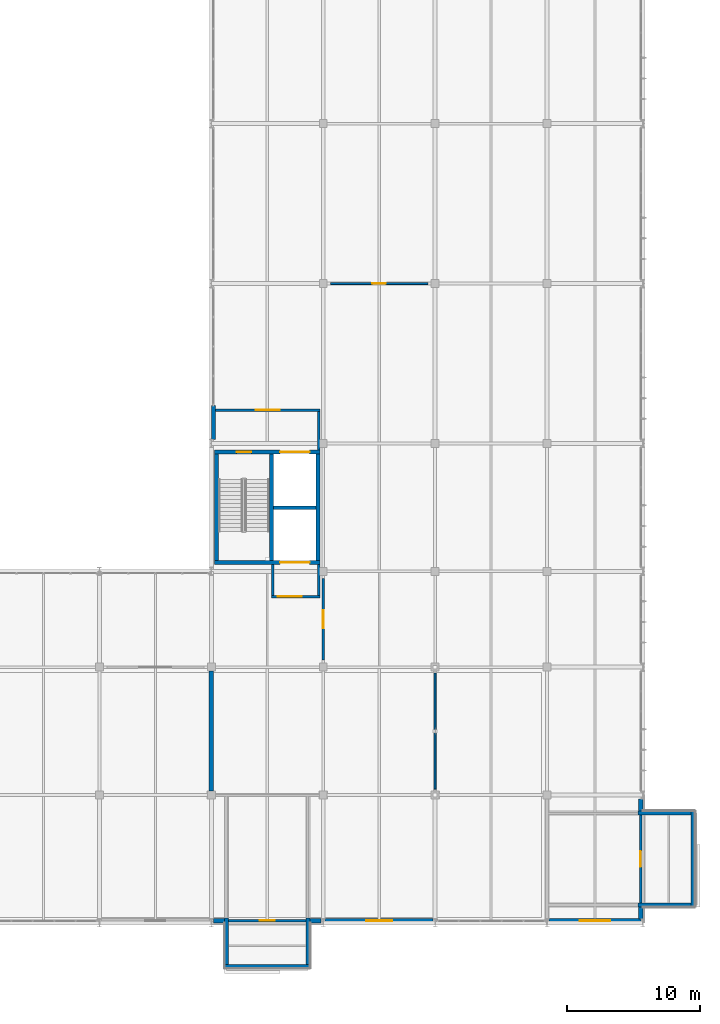
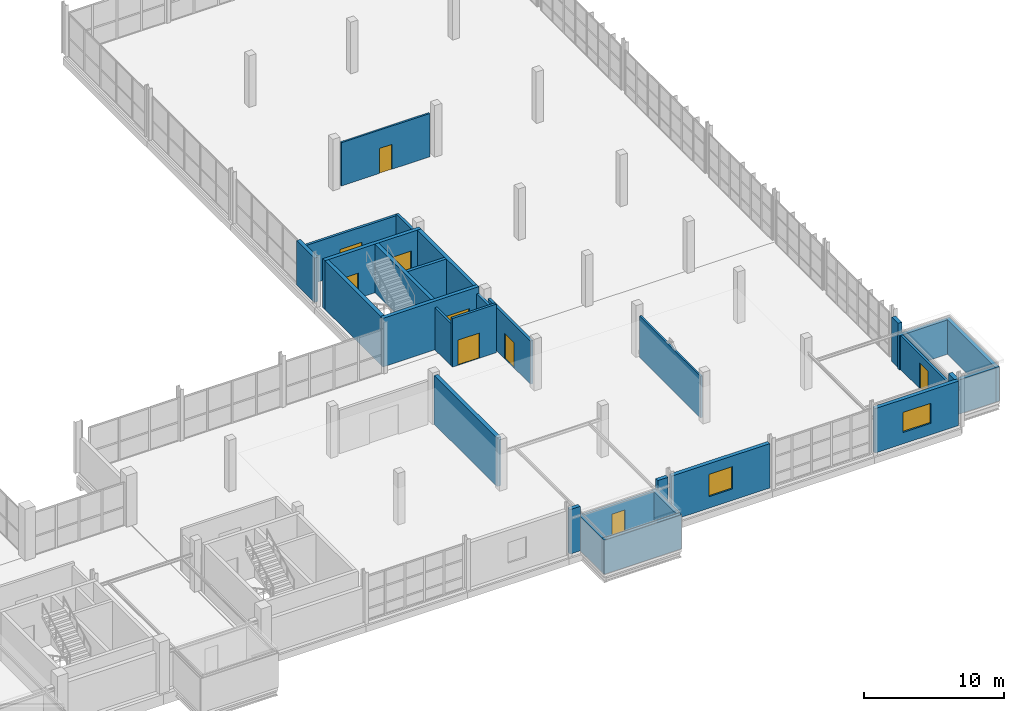
# One storey, part 122 of 130: 30 walls, 9 doors, 2 windows, 11 openings.
"""IFC4 building model written with IfcOpenShell, lengths in metres."""

import ifcopenshell
import ifcopenshell.guid

model = None  # the IFC model being written
_history = None  # IfcOwnerHistory: only IFC2X3 demands one
_inside = {}  # id of a spatial element -> (the spatial element, [elements in it])
_under = {}  # id of a project, library or spatial element -> (it, [spatial elements below it])
_declared = {}  # id of a project -> (the project, [libraries it declares])
_typed = {}  # id of a type object -> (the type object, [elements of that type])
_made_of = {}  # id of a material, layer set ... -> (it, [elements and type objects made of it])


def new_model(schema):
    """Start an empty IFC model of exactly this schema.

    Asked for "IFC4X3", IfcOpenShell would pick the latest addendum, in which some entities
    have other attributes; the version numbers below select the first issue.
    IFC2X3 requires an IfcOwnerHistory on every rooted entity: one is made here for all.
    """
    global model, _history
    if schema == "IFC4X3":
        model = ifcopenshell.file(schema_version=(4, 3, 0, 0))
    else:
        model = ifcopenshell.file(schema=schema)
    _inside.clear()
    _under.clear()
    _declared.clear()
    _typed.clear()
    _made_of.clear()
    _history = None
    if model.schema == "IFC2X3":
        org = make("IfcOrganization", Name="unknown")
        user = make(
            "IfcPersonAndOrganization",
            ThePerson=make("IfcPerson", FamilyName="unknown"),
            TheOrganization=org,
        )
        app = make(
            "IfcApplication",
            ApplicationDeveloper=org,
            Version="unknown",
            ApplicationFullName="unknown",
            ApplicationIdentifier="unknown",
        )
        _history = make(
            "IfcOwnerHistory",
            OwningUser=user,
            OwningApplication=app,
            ChangeAction="ADDED",
            CreationDate=0,
        )
    return model


def make(cls, **values):
    """One entity of the class cls with the attributes given. An attribute that is None is left unset."""
    return model.create_entity(
        cls, **{name: value for name, value in values.items() if value is not None}
    )


def rooted(cls, **values):
    """An entity with a GlobalId (a new one), such as an element, a storey or a relation."""
    return make(cls, GlobalId=ifcopenshell.guid.new(), OwnerHistory=_history, **values)


def si_unit(unit_type, name, prefix=None):
    """IfcSIUnit, for example si_unit("LENGTHUNIT", "METRE", prefix="MILLI")."""
    return make("IfcSIUnit", UnitType=unit_type, Prefix=prefix, Name=name)


def assignment(units):
    """IfcUnitAssignment: the units of a project."""
    return None if units is None else make("IfcUnitAssignment", Units=units)


def point(xyz):
    """IfcCartesianPoint."""
    return None if xyz is None else make("IfcCartesianPoint", Coordinates=xyz)


def direction(xyz):
    """IfcDirection."""
    return None if xyz is None else make("IfcDirection", DirectionRatios=xyz)


def frame(location, z_axis=None, x_axis=None):
    """IfcAxis2Placement3D, a coordinate frame: its origin and axes. An axis left out is left unset."""
    return make(
        "IfcAxis2Placement3D",
        Location=point(location),
        Axis=direction(z_axis),
        RefDirection=direction(x_axis),
    )


def frame_2d(location, x_axis=None):
    """IfcAxis2Placement2D, a coordinate frame in the plane: its origin and x axis."""
    return make(
        "IfcAxis2Placement2D", Location=point(location), RefDirection=direction(x_axis)
    )


def origin():
    """The frame at (0, 0, 0) with its axes left unset."""
    return frame((0.0, 0.0, 0.0))


def place(relative_to, where):
    """IfcLocalPlacement: puts the frame where relative to a parent placement (None: the world)."""
    return make(
        "IfcLocalPlacement", PlacementRelTo=relative_to, RelativePlacement=where
    )


def context(
    kind, dimensions, precision=None, world=None, true_north=None, identifier=None
):
    """IfcGeometricRepresentationContext, for example the 3D "Model" context."""
    return make(
        "IfcGeometricRepresentationContext",
        ContextIdentifier=identifier,
        ContextType=kind,
        CoordinateSpaceDimension=dimensions,
        Precision=precision,
        WorldCoordinateSystem=world,
        TrueNorth=true_north,
    )


def subcontext(parent, identifier, kind, view, scale=None):
    """IfcGeometricRepresentationSubContext, for example "Body" below "Model"."""
    return make(
        "IfcGeometricRepresentationSubContext",
        ContextIdentifier=identifier,
        ContextType=kind,
        ParentContext=parent,
        TargetScale=scale,
        TargetView=view,
    )


def project(units=None, contexts=None):
    """IfcProject with its units and contexts."""
    return rooted(
        "IfcProject",
        Name="project",
        RepresentationContexts=contexts,
        UnitsInContext=assignment(units),
    )


def spatial(cls, under=None, at=None, **own):
    """A site, building, storey or space (cls), placed at a placement, below another one or the project."""
    s = rooted(cls, ObjectPlacement=at, **own)
    if under is not None:
        _under.setdefault(under.id(), (under, []))[1].append(s)
    return s


def profile(cls, at=None, kind="AREA", **sizes):
    """A parametric profile (cls). Its sizes go by their IFC names, for example OverallWidth=200.0."""
    return make(cls, ProfileType=kind, Position=at, **sizes)


def rectangle(**sizes):
    """IfcRectangleProfileDef."""
    return profile("IfcRectangleProfileDef", **sizes)


def extrude(swept, where, along, depth):
    """IfcExtrudedAreaSolid: the profile swept, set in the frame where, extruded along a direction by depth."""
    return make(
        "IfcExtrudedAreaSolid",
        SweptArea=swept,
        Position=where,
        ExtrudedDirection=direction(along),
        Depth=depth,
    )


def shape(context_of_items, identifier, shape_type, items):
    """IfcShapeRepresentation: the items that make up one representation, for example the "Body"."""
    return make(
        "IfcShapeRepresentation",
        ContextOfItems=context_of_items,
        RepresentationIdentifier=identifier,
        RepresentationType=shape_type,
        Items=items,
    )


def material(Name=None, Category=None):
    """IfcMaterial."""
    return make("IfcMaterial", Name=Name, Category=Category)


def layer(
    of_material, thickness, ventilated=None, Name=None, Category=None, Priority=None
):
    """IfcMaterialLayer: one layer of a wall or slab, of a material (None: an air gap)."""
    return make(
        "IfcMaterialLayer",
        Material=of_material,
        LayerThickness=thickness,
        IsVentilated=ventilated,
        Name=Name,
        Category=Category,
        Priority=Priority,
    )


def layer_set(layers, Name=None):
    """IfcMaterialLayerSet."""
    return make("IfcMaterialLayerSet", MaterialLayers=layers, LayerSetName=Name)


def made_of(thing, what):
    """Note that an element or type object is made of a material, layer set ...; save() writes the relation."""
    if what is not None:
        _made_of.setdefault(what.id(), (what, []))[1].append(thing)
    return thing


def type_object(cls, material=None, **own):
    """A type object (cls), such as IfcWallType, which elements share."""
    return made_of(rooted(cls, **own), material)


def element(
    cls,
    number,
    at=None,
    inside=None,
    cuts=None,
    type_object=None,
    material=None,
    context=None,
    identifier="Body",
    shape_type=None,
    held_by="IfcProductDefinitionShape",
    body=None,
    shapes=None,
    **own,
):
    """One element of the class cls, such as IfcWall. Its Tag is "e" and its number.

    at: its placement. inside: the storey or other place that contains it. cuts: it is an
    opening in that element (IfcRelVoidsElement). A single representation is given by context,
    identifier, shape_type and body (its items); several are given by shapes. held_by: the class
    of the entity that holds the representations. save() writes the other relations.
    """
    e = rooted(cls, Tag="e%d" % number, ObjectPlacement=at, **own)
    if body is not None:
        shapes = [shape(context, identifier, shape_type, body)]
    if shapes is not None:
        e.Representation = make(held_by, Representations=shapes)
    if inside is not None:
        _inside.setdefault(inside.id(), (inside, []))[1].append(e)
    if cuts is not None:
        rooted(
            "IfcRelVoidsElement", RelatingBuildingElement=cuts, RelatedOpeningElement=e
        )
    if type_object is not None:
        _typed.setdefault(type_object.id(), (type_object, []))[1].append(e)
    return made_of(e, material)


def fill(opening, filler):
    """IfcRelFillsElement: the door or window that sits in an opening."""
    return rooted(
        "IfcRelFillsElement",
        RelatingOpeningElement=opening,
        RelatedBuildingElement=filler,
    )


def aggregate(whole, parts):
    """IfcRelAggregates: a whole, such as a stair, and the parts it consists of."""
    return rooted("IfcRelAggregates", RelatingObject=whole, RelatedObjects=parts)


def save(model, path):
    """Write the relations noted so far, then the file.

    IfcRelAggregates (storeys below a building ...), IfcRelContainedInSpatialStructure (elements
    in a storey), IfcRelDefinesByType, IfcRelAssociatesMaterial and IfcRelDeclares: one each for
    every whole, place, type object, material and project.
    """
    for whole, parts in _under.values():
        aggregate(whole, parts)
    for where, things in _inside.values():
        rooted(
            "IfcRelContainedInSpatialStructure",
            RelatedElements=things,
            RelatingStructure=where,
        )
    for kind, things in _typed.values():
        rooted("IfcRelDefinesByType", RelatedObjects=things, RelatingType=kind)
    for what, things in _made_of.values():
        rooted("IfcRelAssociatesMaterial", RelatedObjects=things, RelatingMaterial=what)
    for by, libraries in _declared.values():
        rooted("IfcRelDeclares", RelatingContext=by, RelatedDefinitions=libraries)
    model.write(path)


model = new_model("IFC4")

# Units and contexts
model_context = context("Model", 3, precision=1e-05, world=origin(), true_north=direction((0.0, 1.0)))
body_context = subcontext(model_context, "Body", "Model", "MODEL_VIEW")
ifc_project = project(units=[si_unit("LENGTHUNIT", "METRE"), si_unit("AREAUNIT", "SQUARE_METRE"), si_unit("VOLUMEUNIT", "CUBIC_METRE"), si_unit("PLANEANGLEUNIT", "RADIAN"), si_unit("MASSUNIT", "GRAM", prefix="KILO")], contexts=[model_context])

# Site, building, storey
site_placement = place(None, origin())
site = spatial("IfcSite", under=ifc_project, at=site_placement, CompositionType="ELEMENT")
building_placement = place(site_placement, origin())
building = spatial("IfcBuilding", under=site, at=building_placement, Name="Veltarok Museum of Natural Sciences", CompositionType="ELEMENT")
storey_placement = place(building_placement, frame((0.0, 0.0, 12.89990234375)))
storey = spatial("IfcBuildingStorey", under=building, at=storey_placement, Name="L02", CompositionType="ELEMENT", Elevation=12.89990234375)

# Wall, opening, door
ifc_material_1 = material(Name="Concrete C35/45", Category="concrete")
ifc_layer_1 = layer(ifc_material_1, 0.219970703125)
ifc_layer_set_1 = layer_set([ifc_layer_1], Name="Concrete C35/45")
wall_type_1 = type_object("IfcWallType", Name="Archive Compartment Partition 220", PredefinedType="PARTITIONING", material=ifc_layer_set_1)
wall_1_placement = place(storey_placement, frame((140.800048828125, 19.75, 0.0), z_axis=(0.0, 0.0, 1.0), x_axis=(0.0, 1.0, 0.0)))
wall_1 = element("IfcWall", 1, at=wall_1_placement, inside=storey, type_object=wall_type_1, Name="Interior Partition L02-043", PredefinedType="PARTITIONING", context=body_context, shape_type="SweptSolid", body=[
    extrude(rectangle(XDim=6.10009765625, YDim=0.219970703125, at=frame_2d((3.050048828125, 0.0))), origin(), (0.0, 0.0, 1.0), 3.781982421875),
])
opening_1_placement = place(wall_1_placement, frame((2.389892578125, 0.0, 0.0)))
opening_1 = element("IfcOpeningElement", 2, at=opening_1_placement, cuts=wall_1, Name="Opening D-L02-169", PredefinedType="OPENING", context=body_context, shape_type="SweptSolid", body=[
    extrude(rectangle(XDim=1.320068359375, YDim=2.199951171875, at=frame_2d((0.66015625, 1.10009765625))), frame((0.0, 0.1201171875, 0.0), z_axis=(0.0, -1.0, 0.0), x_axis=(1.0, 0.0, 0.0)), (0.0, 0.0, 1.0), 0.239990234375),
])
ifc_material_2 = material(Name="HPL laboratory acoustic door")
door_type_1 = type_object("IfcDoorType", Name="Conservation Studio Door 1320x2200", OperationType="NOTDEFINED", PredefinedType="DOOR", material=ifc_material_2)
door_1_placement = place(opening_1_placement, origin())
door_1 = element("IfcDoor", 3, at=door_1_placement, inside=storey, type_object=door_type_1, Name="Interior Door D-L02-169", OperationType="SINGLE_SWING_LEFT", OverallHeight=2.199951171875, OverallWidth=1.320068359375, PredefinedType="DOOR", context=body_context, shape_type="SweptSolid", body=[
    extrude(rectangle(XDim=1.320068359375, YDim=2.199951171875, at=frame_2d((0.66015625, 1.10009765625))), frame((0.0, 0.02490234375, 0.0), z_axis=(0.0, -1.0, 0.0), x_axis=(1.0, 0.0, 0.0)), (0.0, 0.0, 1.0), 0.050048828125),
])
fill(opening_1, door_1)

# Walls
ifc_material_3 = material(Name="Precast concrete C40/50", Category="concrete")
ifc_layer_2 = layer(ifc_material_3, 0.280029296875)
ifc_layer_set_2 = layer_set([ifc_layer_2], Name="Precast concrete C40/50")
wall_type_2 = type_object("IfcWallType", Name="Cabinet Box Insulated Backup Wall 280", PredefinedType="SOLIDWALL", material=ifc_layer_set_2)
wall_2_placement = place(storey_placement, frame((133.39990234375, -3.260009765625, 0.0), z_axis=(0.0, 0.0, 1.0), x_axis=(1.0, 0.0, 0.0)))
element("IfcWall", 4, at=wall_2_placement, inside=storey, type_object=wall_type_2, Name="Cabinet Box Wall DB-12-S", PredefinedType="SOLIDWALL", context=body_context, shape_type="SweptSolid", body=[
    extrude(rectangle(XDim=6.400146484375, YDim=0.280029296875, at=frame_2d((3.2001953125, 0.0))), origin(), (0.0, 0.0, 1.0), 2.989990234375),
])
for number, where, z_axis, x_axis, name in (
    (5, (133.5400390625, 0.360107421875, 0.0), (0.0, 0.0, 1.0), (0.0, -1.0, 0.0), "Cabinet Box Wall DB-12-W"),
    (6, (139.659912109375, -3.1201171875, 0.0), (0.0, 0.0, 1.0), (0.0, 1.0, 0.0), "Cabinet Box Wall DB-12-E"),
):
    element("IfcWall", number, at=place(storey_placement, frame(where, z_axis=z_axis, x_axis=x_axis)), inside=storey, type_object=wall_type_2, Name=name, PredefinedType="SOLIDWALL", context=body_context, shape_type="SweptSolid", body=[
        extrude(rectangle(XDim=3.480224609375, YDim=0.280029296875, at=frame_2d((1.740234375, 0.0))), origin(), (0.0, 0.0, 1.0), 2.989990234375),
    ])
ifc_material_4 = material(Name="Acoustic gypsum and mineral wool")
ifc_layer_3 = layer(ifc_material_4, 0.14990234375)
ifc_layer_set_3 = layer_set([ifc_layer_3], Name="Acoustic gypsum and mineral wool")
wall_type_3 = type_object("IfcWallType", Name="Conservation Laboratory Partition 150", PredefinedType="PARTITIONING", material=ifc_layer_set_3)
wall_3_placement = place(storey_placement, frame((149.199951171875, 10.050048828125, 0.0), z_axis=(0.0, 0.0, 1.0), x_axis=(0.0, 1.0, 0.0)))
element("IfcWall", 7, at=wall_3_placement, inside=storey, type_object=wall_type_3, Name="Braced Frame Enclosure Partition L02 18/B-C", PredefinedType="PARTITIONING", context=body_context, shape_type="SweptSolid", body=[
    extrude(rectangle(XDim=8.699951171875, YDim=0.14990234375, at=frame_2d((4.35009765625, 0.0))), origin(), (0.0, 0.0, 1.0), 3.632080078125),
])

# Wall, opening, door
wall_4_placement = place(storey_placement, frame((141.35009765625, 48.0, 0.0), z_axis=(0.0, 0.0, 1.0), x_axis=(1.0, 0.0, 0.0)))
wall_4 = element("IfcWall", 8, at=wall_4_placement, inside=storey, type_object=wall_type_3, Name="Interior Partition L02-044", PredefinedType="PARTITIONING", context=body_context, shape_type="SweptSolid", body=[
    extrude(rectangle(XDim=7.2998046875, YDim=0.14990234375, at=frame_2d((3.64990234375, 0.0))), origin(), (0.0, 0.0, 1.0), 3.781982421875),
])
opening_2_placement = place(wall_4_placement, frame((3.139892578125, 0.0, 0.0)))
opening_2 = element("IfcOpeningElement", 9, at=opening_2_placement, cuts=wall_4, Name="Opening D-L02-170", PredefinedType="OPENING", context=body_context, shape_type="SweptSolid", body=[
    extrude(rectangle(XDim=1.02001953125, YDim=2.179931640625, at=frame_2d((0.510009765625, 1.08984375))), frame((0.0, 0.0849609375, 0.0), z_axis=(0.0, -1.0, 0.0), x_axis=(1.0, 0.0, 0.0)), (0.0, 0.0, 1.0), 0.169921875),
])
ifc_material_5 = material(Name="Solid European oak")
door_type_2 = type_object("IfcDoorType", Name="Directorate Office Door 1020x2180", OperationType="NOTDEFINED", PredefinedType="DOOR", material=ifc_material_5)
door_2_placement = place(opening_2_placement, origin())
door_2 = element("IfcDoor", 10, at=door_2_placement, inside=storey, type_object=door_type_2, Name="Interior Door D-L02-170", OperationType="SINGLE_SWING_RIGHT", OverallHeight=2.179931640625, OverallWidth=1.02001953125, PredefinedType="DOOR", context=body_context, shape_type="SweptSolid", body=[
    extrude(rectangle(XDim=1.02001953125, YDim=2.179931640625, at=frame_2d((0.510009765625, 1.08984375))), frame((0.0, 0.02490234375, 0.0), z_axis=(0.0, -1.0, 0.0), x_axis=(1.0, 0.0, 0.0)), (0.0, 0.0, 1.0), 0.050048828125),
])
fill(opening_2, door_2)

# Walls
ifc_layer_4 = layer(ifc_material_3, 0.300048828125)
ifc_layer_set_4 = layer_set([ifc_layer_4], Name="Precast concrete C40/50")
wall_type_4 = type_object("IfcWallType", Name="Deep Cabinet Box Insulated Wall 300", PredefinedType="SOLIDWALL", material=ifc_layer_set_4)
wall_5_placement = place(storey_placement, frame((168.550048828125, 1.199951171875, 0.0), z_axis=(0.0, 0.0, 1.0), x_axis=(0.0, 1.0, 0.0)))
element("IfcWall", 11, at=wall_5_placement, inside=storey, type_object=wall_type_4, Name="Cabinet Box Wall DB-31-E", PredefinedType="SOLIDWALL", context=body_context, shape_type="SweptSolid", body=[
    extrude(rectangle(XDim=7.199951171875, YDim=0.300048828125, at=frame_2d((3.60009765625, 0.0))), origin(), (0.0, 0.0, 1.0), 2.989990234375),
])
for number, where, z_axis, x_axis, name in (
    (12, (164.43994140625, 1.35009765625, 0.0), (0.0, 0.0, 1.0), (1.0, 0.0, 0.0), "Cabinet Box Wall DB-31-S"),
    (13, (168.39990234375, 8.25, 0.0), (0.0, 0.0, 1.0), (-1.0, 0.0, 0.0), "Cabinet Box Wall DB-31-N"),
):
    element("IfcWall", number, at=place(storey_placement, frame(where, z_axis=z_axis, x_axis=x_axis)), inside=storey, type_object=wall_type_4, Name=name, PredefinedType="SOLIDWALL", context=body_context, shape_type="SweptSolid", body=[
        extrude(rectangle(XDim=3.9599609375, YDim=0.300048828125, at=frame_2d((1.97998046875, 0.0))), origin(), (0.0, 0.0, 1.0), 2.989990234375),
    ])

# Wall, opening, door
ifc_layer_5 = layer(ifc_material_4, 0.179931640625)
ifc_layer_set_5 = layer_set([ifc_layer_5], Name="Acoustic gypsum and mineral wool")
wall_type_5 = type_object("IfcWallType", Name="Exhibition Gallery Partition 180", PredefinedType="PARTITIONING", material=ifc_layer_set_5)
wall_6_placement = place(storey_placement, frame((133.679931640625, 0.179931640625, 0.0), z_axis=(0.0, 0.0, 1.0), x_axis=(1.0, 0.0, 0.0)))
wall_6 = element("IfcWall", 14, at=wall_6_placement, inside=storey, type_object=wall_type_5, Name="Cabinet Threshold Partition DB-12", PredefinedType="PARTITIONING", context=body_context, shape_type="SweptSolid", body=[
    extrude(rectangle(XDim=5.840087890625, YDim=0.179931640625, at=frame_2d((2.919921875, 0.0))), origin(), (0.0, 0.0, 1.0), 2.989990234375),
])
opening_3_placement = place(wall_6_placement, frame((2.3701171875, 0.0, 0.0)))
opening_3 = element("IfcOpeningElement", 15, at=opening_3_placement, cuts=wall_6, Name="Opening D-L02-083", PredefinedType="OPENING", context=body_context, shape_type="SweptSolid", body=[
    extrude(rectangle(XDim=1.10009765625, YDim=2.199951171875, at=frame_2d((0.550048828125, 1.10009765625))), frame((0.0, 0.10009765625, 0.0), z_axis=(0.0, -1.0, 0.0), x_axis=(1.0, 0.0, 0.0)), (0.0, 0.0, 1.0), 0.199951171875),
])
ifc_material_6 = material(Name="Airtight powder-coated steel", Category="steel")
door_type_3 = type_object("IfcDoorType", Name="Cabinet Box Conservation Door 1100x2200", OperationType="NOTDEFINED", PredefinedType="DOOR", material=ifc_material_6)
door_3_placement = place(opening_3_placement, origin())
door_3 = element("IfcDoor", 16, at=door_3_placement, inside=storey, type_object=door_type_3, Name="Cabinet Conservation Door DB-12", OperationType="SINGLE_SWING_LEFT", OverallHeight=2.199951171875, OverallWidth=1.10009765625, PredefinedType="DOOR", context=body_context, shape_type="SweptSolid", body=[
    extrude(rectangle(XDim=1.10009765625, YDim=2.199951171875, at=frame_2d((0.550048828125, 1.10009765625))), frame((0.0, 0.02490234375, 0.0), z_axis=(0.0, -1.0, 0.0), x_axis=(1.0, 0.0, 0.0)), (0.0, 0.0, 1.0), 0.050048828125),
])
fill(opening_3, door_3)

wall_7_placement = place(storey_placement, frame((164.6201171875, 1.5, 0.0), z_axis=(0.0, 0.0, 1.0), x_axis=(0.0, 1.0, 0.0)))
wall_7 = element("IfcWall", 17, at=wall_7_placement, inside=storey, type_object=wall_type_5, Name="Cabinet Threshold Partition DB-31", PredefinedType="PARTITIONING", context=body_context, shape_type="SweptSolid", body=[
    extrude(rectangle(XDim=6.60009765625, YDim=0.179931640625, at=frame_2d((3.300048828125, 0.0))), origin(), (0.0, 0.0, 1.0), 2.989990234375),
])
opening_4_placement = place(wall_7_placement, frame((2.7099609375, 0.0, 0.0)))
opening_4 = element("IfcOpeningElement", 18, at=opening_4_placement, cuts=wall_7, Name="Opening D-L02-102", PredefinedType="OPENING", context=body_context, shape_type="SweptSolid", body=[
    extrude(rectangle(XDim=1.179931640625, YDim=2.25, at=frame_2d((0.58984375, 1.125))), frame((0.0, 0.10009765625, 0.0), z_axis=(0.0, -1.0, 0.0), x_axis=(1.0, 0.0, 0.0)), (0.0, 0.0, 1.0), 0.199951171875),
])
door_type_4 = type_object("IfcDoorType", Name="Large Cabinet Conservation Door 1180x2250", OperationType="NOTDEFINED", PredefinedType="DOOR", material=ifc_material_6)
door_4_placement = place(opening_4_placement, origin())
door_4 = element("IfcDoor", 19, at=door_4_placement, inside=storey, type_object=door_type_4, Name="Cabinet Conservation Door DB-31", OperationType="SINGLE_SWING_RIGHT", OverallHeight=2.25, OverallWidth=1.179931640625, PredefinedType="DOOR", context=body_context, shape_type="SweptSolid", body=[
    extrude(rectangle(XDim=1.179931640625, YDim=2.25, at=frame_2d((0.58984375, 1.125))), frame((0.0, 0.02490234375, 0.0), z_axis=(0.0, -1.0, 0.0), x_axis=(1.0, 0.0, 0.0)), (0.0, 0.0, 1.0), 0.050048828125),
])
fill(opening_4, door_4)

ifc_layer_6 = layer(ifc_material_1, 0.199951171875)
ifc_layer_set_6 = layer_set([ifc_layer_6], Name="Concrete C35/45")
wall_type_6 = type_object("IfcWallType", Name="Firefighting Lobby Compartment Wall 200", PredefinedType="SOLIDWALL", material=ifc_layer_set_6)
wall_8_placement = place(storey_placement, frame((132.719970703125, 38.5, 0.0), z_axis=(0.0, 0.0, 1.0), x_axis=(1.0, 0.0, 0.0)))
wall_8 = element("IfcWall", 20, at=wall_8_placement, inside=storey, type_object=wall_type_6, Name="Firefighting Lobby Wall C5 L02 N", PredefinedType="SOLIDWALL", context=body_context, shape_type="SweptSolid", body=[
    extrude(rectangle(XDim=7.85009765625, YDim=0.199951171875, at=frame_2d((3.925048828125, 0.0))), origin(), (0.0, 0.0, 1.0), 3.531982421875),
])
opening_5_placement = place(wall_8_placement, frame((3.02490234375, 0.0, 0.0)))
opening_5 = element("IfcOpeningElement", 21, at=opening_5_placement, cuts=wall_8, Name="Opening D-L02-044", PredefinedType="OPENING", context=body_context, shape_type="SweptSolid", body=[
    extrude(rectangle(XDim=1.800048828125, YDim=2.199951171875, at=frame_2d((0.89990234375, 1.10009765625))), frame((0.0, 0.10986328125, 0.0), z_axis=(0.0, -1.0, 0.0), x_axis=(1.0, 0.0, 0.0)), (0.0, 0.0, 1.0), 0.219970703125),
])
ifc_material_7 = material(Name="Fire-rated steel and vision glass", Category="steel")
door_type_5 = type_object("IfcDoorType", Name="Fire Lobby Double Door 1800x2200", OperationType="NOTDEFINED", PredefinedType="DOOR", material=ifc_material_7)
door_5_placement = place(opening_5_placement, origin())
door_5 = element("IfcDoor", 22, at=door_5_placement, inside=storey, type_object=door_type_5, Name="Firefighting Lobby Entrance Door C5 L02", OperationType="DOUBLE_DOOR_SINGLE_SWING", OverallHeight=2.199951171875, OverallWidth=1.800048828125, PredefinedType="DOOR", context=body_context, shape_type="SweptSolid", body=[
    extrude(rectangle(XDim=1.800048828125, YDim=2.199951171875, at=frame_2d((0.89990234375, 1.10009765625))), frame((0.0, 0.02490234375, 0.0), z_axis=(0.0, -1.0, 0.0), x_axis=(1.0, 0.0, 0.0)), (0.0, 0.0, 1.0), 0.050048828125),
])
fill(opening_5, door_5)

# Wall
wall_9_placement = place(storey_placement, frame((140.469970703125, 38.39990234375, 0.0), z_axis=(0.0, 0.0, 1.0), x_axis=(0.0, -1.0, 0.0)))
element("IfcWall", 23, at=wall_9_placement, inside=storey, type_object=wall_type_6, Name="Firefighting Lobby Wall C5 L02 E", PredefinedType="SOLIDWALL", context=body_context, shape_type="SweptSolid", body=[
    extrude(rectangle(XDim=2.89990234375, YDim=0.199951171875, at=frame_2d((1.449951171875, 0.0))), origin(), (0.0, 0.0, 1.0), 3.68212890625),
])

# Wall, opening, door
wall_10_placement = place(storey_placement, frame((140.570068359375, 24.5, 0.0), z_axis=(0.0, 0.0, 1.0), x_axis=(-1.0, 0.0, 0.0)))
wall_10 = element("IfcWall", 24, at=wall_10_placement, inside=storey, type_object=wall_type_6, Name="South Freight Lift Lobby Wall C5S L02 S", PredefinedType="SOLIDWALL", context=body_context, shape_type="SweptSolid", body=[
    extrude(rectangle(XDim=3.650146484375, YDim=0.199951171875, at=frame_2d((1.8251953125, 0.0))), origin(), (0.0, 0.0, 1.0), 4.235107421875),
])
opening_6_placement = place(wall_10_placement, frame((1.39990234375, 0.0, 0.0)))
opening_6 = element("IfcOpeningElement", 25, at=opening_6_placement, cuts=wall_10, Name="Opening D-L02-045", PredefinedType="OPENING", context=body_context, shape_type="SweptSolid", body=[
    extrude(rectangle(XDim=1.800048828125, YDim=2.199951171875, at=frame_2d((0.89990234375, 1.10009765625))), frame((0.0, 0.10986328125, 0.0), z_axis=(0.0, -1.0, 0.0), x_axis=(1.0, 0.0, 0.0)), (0.0, 0.0, 1.0), 0.219970703125),
])
door_6_placement = place(opening_6_placement, origin())
door_6 = element("IfcDoor", 26, at=door_6_placement, inside=storey, type_object=door_type_5, Name="Freight Lift Lobby Door C5S L02", OperationType="DOUBLE_DOOR_SINGLE_SWING", OverallHeight=2.199951171875, OverallWidth=1.800048828125, PredefinedType="DOOR", context=body_context, shape_type="SweptSolid", body=[
    extrude(rectangle(XDim=1.800048828125, YDim=2.199951171875, at=frame_2d((0.89990234375, 1.10009765625))), frame((0.0, 0.02490234375, 0.0), z_axis=(0.0, -1.0, 0.0), x_axis=(1.0, 0.0, 0.0)), (0.0, 0.0, 1.0), 0.050048828125),
])
fill(opening_6, door_6)

# Walls
for number, where, z_axis, x_axis, name in (
    (27, (137.02001953125, 24.60009765625, 0.0), (0.0, 0.0, 1.0), (0.0, 1.0, 0.0), "South Freight Lift Lobby Wall C5S L02 W"),
    (28, (140.469970703125, 26.89990234375, 0.0), (0.0, 0.0, 1.0), (0.0, -1.0, 0.0), "South Freight Lift Lobby Wall C5S L02 E"),
):
    element("IfcWall", number, at=place(storey_placement, frame(where, z_axis=z_axis, x_axis=x_axis)), inside=storey, type_object=wall_type_6, Name=name, PredefinedType="SOLIDWALL", context=body_context, shape_type="SweptSolid", body=[
        extrude(rectangle(XDim=2.2998046875, YDim=0.199951171875, at=frame_2d((1.14990234375, 0.0))), origin(), (0.0, 0.0, 1.0), 3.68212890625),
    ])
ifc_layer_7 = layer(ifc_material_3, 0.320068359375)
ifc_layer_set_7 = layer_set([ifc_layer_7], Name="Precast concrete C40/50")
wall_type_7 = type_object("IfcWallType", Name="Insulated Precast Facade Wall 320", PredefinedType="SOLIDWALL", material=ifc_layer_set_7)
for number, where, z_axis, x_axis, name in (
    (29, (132.550048828125, 0.159912109375, 0.0), (0.0, 0.0, 1.0), (1.0, 0.0, 0.0), "V5 Cabinet Collar Wall L02 16-17L"),
    (30, (139.800048828125, 0.159912109375, 0.0), (0.0, 0.0, 1.0), (1.0, 0.0, 0.0), "V5 Cabinet Collar Wall L02 16-17R"),
):
    element("IfcWall", number, at=place(storey_placement, frame(where, z_axis=z_axis, x_axis=x_axis)), inside=storey, type_object=wall_type_7, Name=name, PredefinedType="SOLIDWALL", context=body_context, shape_type="SweptSolid", body=[
        extrude(rectangle(XDim=0.849853515625, YDim=0.320068359375, at=frame_2d((0.4248046875, 0.0))), origin(), (0.0, 0.0, 1.0), 3.880126953125),
    ])

# Wall, opening, window
wall_11_placement = place(storey_placement, frame((140.949951171875, 0.159912109375, 0.0), z_axis=(0.0, 0.0, 1.0), x_axis=(1.0, 0.0, 0.0)))
wall_11 = element("IfcWall", 31, at=wall_11_placement, inside=storey, type_object=wall_type_7, Name="V5 South Lab Facade Wall L02 17-18", PredefinedType="SOLIDWALL", context=body_context, shape_type="SweptSolid", body=[
    extrude(rectangle(XDim=8.10009765625, YDim=0.320068359375, at=frame_2d((4.050048828125, 0.0))), origin(), (0.0, 0.0, 1.0), 3.880126953125),
])
opening_7_placement = place(wall_11_placement, frame((3.074951171875, 0.0, 1.0)))
opening_7 = element("IfcOpeningElement", 32, at=opening_7_placement, cuts=wall_11, Name="Opening W-L02-020", PredefinedType="OPENING", context=body_context, shape_type="SweptSolid", body=[
    extrude(rectangle(XDim=1.949951171875, YDim=1.949951171875, at=frame_2d((0.97509765625, 0.97509765625))), frame((0.0, 0.169921875, 0.0), z_axis=(0.0, -1.0, 0.0), x_axis=(1.0, 0.0, 0.0)), (0.0, 0.0, 1.0), 0.340087890625),
])
ifc_material_8 = material(Name="Low-iron triple insulated glass", Category="glass")
window_type_1 = type_object("IfcWindowType", Name="Herbarium UV-Filtered Window 1950x1950", PartitioningType="SINGLE_PANEL", PredefinedType="WINDOW", material=ifc_material_8)
window_1_placement = place(opening_7_placement, origin())
window_1 = element("IfcWindow", 33, at=window_1_placement, inside=storey, type_object=window_type_1, Name="Lab Window L02 17-18", OverallHeight=1.949951171875, OverallWidth=1.949951171875, PartitioningType="SINGLE_PANEL", PredefinedType="WINDOW", context=body_context, shape_type="SweptSolid", body=[
    extrude(rectangle(XDim=1.949951171875, YDim=1.949951171875, at=frame_2d((0.97509765625, 0.97509765625))), frame((0.0, 0.030029296875, 0.0), z_axis=(0.0, -1.0, 0.0), x_axis=(1.0, 0.0, 0.0)), (0.0, 0.0, 1.0), 0.06005859375),
])
fill(opening_7, window_1)

wall_12_placement = place(storey_placement, frame((157.75, 0.159912109375, 0.0), z_axis=(0.0, 0.0, 1.0), x_axis=(1.0, 0.0, 0.0)))
wall_12 = element("IfcWall", 34, at=wall_12_placement, inside=storey, type_object=wall_type_7, Name="V5 South Lab Facade Wall L02 19-20", PredefinedType="SOLIDWALL", context=body_context, shape_type="SweptSolid", body=[
    extrude(rectangle(XDim=6.89990234375, YDim=0.320068359375, at=frame_2d((3.449951171875, 0.0))), origin(), (0.0, 0.0, 1.0), 3.880126953125),
])
opening_8_placement = place(wall_12_placement, frame((2.300048828125, 0.0, 1.0)))
opening_8 = element("IfcOpeningElement", 35, at=opening_8_placement, cuts=wall_12, Name="Opening W-L02-021", PredefinedType="OPENING", context=body_context, shape_type="SweptSolid", body=[
    extrude(rectangle(XDim=2.300048828125, YDim=1.75, at=frame_2d((1.14990234375, 0.875))), frame((0.0, 0.169921875, 0.0), z_axis=(0.0, -1.0, 0.0), x_axis=(1.0, 0.0, 0.0)), (0.0, 0.0, 1.0), 0.340087890625),
])
window_type_2 = type_object("IfcWindowType", Name="Directorate Office Window 2300x1750", PartitioningType="SINGLE_PANEL", PredefinedType="WINDOW", material=ifc_material_8)
window_2_placement = place(opening_8_placement, origin())
window_2 = element("IfcWindow", 36, at=window_2_placement, inside=storey, type_object=window_type_2, Name="Lab Window L02 19-20", OverallHeight=1.75, OverallWidth=2.300048828125, PartitioningType="SINGLE_PANEL", PredefinedType="WINDOW", context=body_context, shape_type="SweptSolid", body=[
    extrude(rectangle(XDim=2.300048828125, YDim=1.75, at=frame_2d((1.14990234375, 0.875))), frame((0.0, 0.030029296875, 0.0), z_axis=(0.0, -1.0, 0.0), x_axis=(1.0, 0.0, 0.0)), (0.0, 0.0, 1.0), 0.06005859375),
])
fill(opening_8, window_2)

# Walls
wall_13_placement = place(storey_placement, frame((164.639892578125, 0.300048828125, 0.0), z_axis=(0.0, 0.0, 1.0), x_axis=(0.0, 1.0, 0.0)))
element("IfcWall", 37, at=wall_13_placement, inside=storey, type_object=wall_type_7, Name="East Cabinet Collar Wall L02 A-BS", PredefinedType="SOLIDWALL", context=body_context, shape_type="SweptSolid", body=[
    extrude(rectangle(XDim=0.89990234375, YDim=0.320068359375, at=frame_2d((0.449951171875, 0.0))), origin(), (0.0, 0.0, 1.0), 3.880126953125),
])
wall_14_placement = place(storey_placement, frame((164.639892578125, 8.39990234375, 0.0), z_axis=(0.0, 0.0, 1.0), x_axis=(0.0, 1.0, 0.0)))
element("IfcWall", 38, at=wall_14_placement, inside=storey, type_object=wall_type_7, Name="East Cabinet Collar Wall L02 A-BN", PredefinedType="SOLIDWALL", context=body_context, shape_type="SweptSolid", body=[
    extrude(rectangle(XDim=0.900146484375, YDim=0.320068359375, at=frame_2d((0.4501953125, 0.0))), origin(), (0.0, 0.0, 1.0), 3.880126953125),
])
wall_15_placement = place(storey_placement, frame((132.56005859375, 38.85009765625, 0.0), z_axis=(0.0, 0.0, 1.0), x_axis=(0.0, -1.0, 0.0)))
element("IfcWall", 39, at=wall_15_placement, inside=storey, type_object=wall_type_7, Name="Core C5 West Courtyard Wall L02", PredefinedType="SOLIDWALL", context=body_context, shape_type="SweptSolid", body=[
    extrude(rectangle(XDim=2.550048828125, YDim=0.320068359375, at=frame_2d((1.27490234375, 0.0))), origin(), (0.0, 0.0, 1.0), 3.880126953125),
])
ifc_material_9 = material(Name="Concrete C40/50", Category="concrete")
ifc_layer_8 = layer(ifc_material_9, 0.320068359375)
ifc_layer_set_8 = layer_set([ifc_layer_8], Name="Concrete C40/50")
wall_type_8 = type_object("IfcWallType", Name="Interior Lateral Concrete Shear Wall 320", PredefinedType="SHEAR", material=ifc_layer_set_8)
wall_16_placement = place(storey_placement, frame((132.39990234375, 9.89990234375, 0.0), z_axis=(0.0, 0.0, 1.0), x_axis=(0.0, 1.0, 0.0)))
element("IfcWall", 40, at=wall_16_placement, inside=storey, type_object=wall_type_8, Name="Interior Shear Wall SW2 L02", PredefinedType="SHEAR", context=body_context, shape_type="SweptSolid", body=[
    extrude(rectangle(XDim=9.0, YDim=0.320068359375, at=frame_2d((4.5, 0.0))), origin(), (0.0, 0.0, 1.0), 4.25),
])
ifc_layer_9 = layer(ifc_material_9, 0.25)
ifc_layer_set_9 = layer_set([ifc_layer_9], Name="Concrete C40/50")
wall_type_9 = type_object("IfcWallType", Name="Lift Shaft Concrete Shear Wall 250", PredefinedType="SHEAR", material=ifc_layer_set_9)
wall_17_placement = place(storey_placement, frame((137.070068359375, 31.175048828125, 0.0), z_axis=(0.0, 0.0, 1.0), x_axis=(1.0, 0.0, 0.0)))
element("IfcWall", 41, at=wall_17_placement, inside=storey, type_object=wall_type_9, Name="Lift Shaft Divider Wall C5 L02", PredefinedType="SHEAR", context=body_context, shape_type="SweptSolid", body=[
    extrude(rectangle(XDim=3.199951171875, YDim=0.25, at=frame_2d((1.60009765625, 0.0))), origin(), (0.0, 0.0, 1.0), 4.25),
])

# Wall, opening, door
ifc_layer_10 = layer(ifc_material_9, 0.300048828125)
ifc_layer_set_10 = layer_set([ifc_layer_10], Name="Concrete C40/50")
wall_type_10 = type_object("IfcWallType", Name="Protected Core Shear Wall 300", PredefinedType="SHEAR", material=ifc_layer_set_10)
wall_18_placement = place(storey_placement, frame((132.6298828125, 27.050048828125, 0.0), z_axis=(0.0, 0.0, 1.0), x_axis=(1.0, 0.0, 0.0)))
wall_18 = element("IfcWall", 42, at=wall_18_placement, inside=storey, type_object=wall_type_10, Name="Core Shear Wall C5 L02 S", PredefinedType="SHEAR", context=body_context, shape_type="SweptSolid", body=[
    extrude(rectangle(XDim=7.940185546875, YDim=0.300048828125, at=frame_2d((3.97021484375, 0.0))), origin(), (0.0, 0.0, 1.0), 4.25),
])
opening_9_placement = place(wall_18_placement, frame((4.93994140625, 0.0, 0.0)))
opening_9 = element("IfcOpeningElement", 43, at=opening_9_placement, cuts=wall_18, Name="Opening LD-L02-GL-01", PredefinedType="OPENING", context=body_context, shape_type="SweptSolid", body=[
    extrude(rectangle(XDim=2.199951171875, YDim=2.60009765625, at=frame_2d((1.10009765625, 1.300048828125))), frame((0.0, 0.16015625, 0.0), z_axis=(0.0, -1.0, 0.0), x_axis=(1.0, 0.0, 0.0)), (0.0, 0.0, 1.0), 0.320068359375),
])
ifc_material_10 = material(Name="Heavy stainless steel", Category="steel")
door_type_6 = type_object("IfcDoorType", Name="Art Freight Lift Bi-Parting Landing Door 2200x2600", OperationType="SLIDING_TO_LEFT", PredefinedType="DOOR", material=ifc_material_10)
door_7_placement = place(opening_9_placement, origin())
door_7 = element("IfcDoor", 44, at=door_7_placement, inside=storey, type_object=door_type_6, Name="Sliding Lift Landing Door LD-L02-GL-01", OperationType="SLIDING_TO_LEFT", OverallHeight=2.60009765625, OverallWidth=2.199951171875, PredefinedType="DOOR", context=body_context, shape_type="SweptSolid", body=[
    extrude(rectangle(XDim=2.199951171875, YDim=2.60009765625, at=frame_2d((1.10009765625, 1.300048828125))), frame((0.0, 0.02490234375, 0.0), z_axis=(0.0, -1.0, 0.0), x_axis=(1.0, 0.0, 0.0)), (0.0, 0.0, 1.0), 0.050048828125),
])
fill(opening_9, door_7)

# Wall, openings, doors
wall_19_placement = place(storey_placement, frame((140.570068359375, 35.35009765625, 0.0), z_axis=(0.0, 0.0, 1.0), x_axis=(-1.0, 0.0, 0.0)))
wall_19 = element("IfcWall", 45, at=wall_19_placement, inside=storey, type_object=wall_type_10, Name="Core Shear Wall C5 L02 N", PredefinedType="SHEAR", context=body_context, shape_type="SweptSolid", body=[
    extrude(rectangle(XDim=7.940185546875, YDim=0.300048828125, at=frame_2d((3.97021484375, 0.0))), origin(), (0.0, 0.0, 1.0), 4.25),
])
opening_10_placement = place(wall_19_placement, frame((5.169921875, 0.0, 0.0)))
opening_10 = element("IfcOpeningElement", 46, at=opening_10_placement, cuts=wall_19, Name="Opening D-L02-043", PredefinedType="OPENING", context=body_context, shape_type="SweptSolid", body=[
    extrude(rectangle(XDim=1.10009765625, YDim=2.199951171875, at=frame_2d((0.550048828125, 1.10009765625))), frame((0.0, 0.16015625, 0.0), z_axis=(0.0, -1.0, 0.0), x_axis=(1.0, 0.0, 0.0)), (0.0, 0.0, 1.0), 0.320068359375),
])
opening_11_placement = place(wall_19_placement, frame((0.800048828125, 0.0, 0.0)))
opening_11 = element("IfcOpeningElement", 47, at=opening_11_placement, cuts=wall_19, Name="Opening LD-L02-GL-02", PredefinedType="OPENING", context=body_context, shape_type="SweptSolid", body=[
    extrude(rectangle(XDim=2.199951171875, YDim=2.60009765625, at=frame_2d((1.10009765625, 1.300048828125))), frame((0.0, 0.16015625, 0.0), z_axis=(0.0, -1.0, 0.0), x_axis=(1.0, 0.0, 0.0)), (0.0, 0.0, 1.0), 0.320068359375),
])
door_8_placement = place(opening_11_placement, origin())
door_8 = element("IfcDoor", 48, at=door_8_placement, inside=storey, type_object=door_type_6, Name="Sliding Lift Landing Door LD-L02-GL-02", OperationType="SLIDING_TO_LEFT", OverallHeight=2.60009765625, OverallWidth=2.199951171875, PredefinedType="DOOR", context=body_context, shape_type="SweptSolid", body=[
    extrude(rectangle(XDim=2.199951171875, YDim=2.60009765625, at=frame_2d((1.10009765625, 1.300048828125))), frame((0.0, 0.02490234375, 0.0), z_axis=(0.0, -1.0, 0.0), x_axis=(1.0, 0.0, 0.0)), (0.0, 0.0, 1.0), 0.050048828125),
])
fill(opening_11, door_8)
ifc_material_11 = material(Name="Fire-rated painted steel", Category="steel")
door_type_7 = type_object("IfcDoorType", Name="Fire Core Single Escape Door 1100x2200", OperationType="NOTDEFINED", PredefinedType="DOOR", material=ifc_material_11)
door_9_placement = place(opening_10_placement, origin())
door_9 = element("IfcDoor", 49, at=door_9_placement, inside=storey, type_object=door_type_7, Name="Protected Stair Door ST-05 L02", OperationType="SINGLE_SWING_LEFT", OverallHeight=2.199951171875, OverallWidth=1.10009765625, PredefinedType="DOOR", context=body_context, shape_type="SweptSolid", body=[
    extrude(rectangle(XDim=1.10009765625, YDim=2.199951171875, at=frame_2d((0.550048828125, 1.10009765625))), frame((0.0, 0.02490234375, 0.0), z_axis=(0.0, -1.0, 0.0), x_axis=(1.0, 0.0, 0.0)), (0.0, 0.0, 1.0), 0.050048828125),
])
fill(opening_10, door_9)

# Walls
for number, where, z_axis, x_axis, name in (
    (50, (132.780029296875, 35.199951171875, 0.0), (0.0, 0.0, 1.0), (0.0, -1.0, 0.0), "Core Shear Wall C5 L02 W"),
    (51, (140.419921875, 27.199951171875, 0.0), (0.0, 0.0, 1.0), (0.0, 1.0, 0.0), "Core Shear Wall C5 L02 E"),
    (52, (136.919921875, 27.199951171875, 0.0), (0.0, 0.0, 1.0), (0.0, 1.0, 0.0), "Core Shear Wall C5 L02 DIV"),
):
    element("IfcWall", number, at=place(storey_placement, frame(where, z_axis=z_axis, x_axis=x_axis)), inside=storey, type_object=wall_type_10, Name=name, PredefinedType="SHEAR", context=body_context, shape_type="SweptSolid", body=[
        extrude(rectangle(XDim=8.0, YDim=0.300048828125, at=frame_2d((4.0, 0.0))), origin(), (0.0, 0.0, 1.0), 4.25),
    ])

save(model, "model.ifc")
